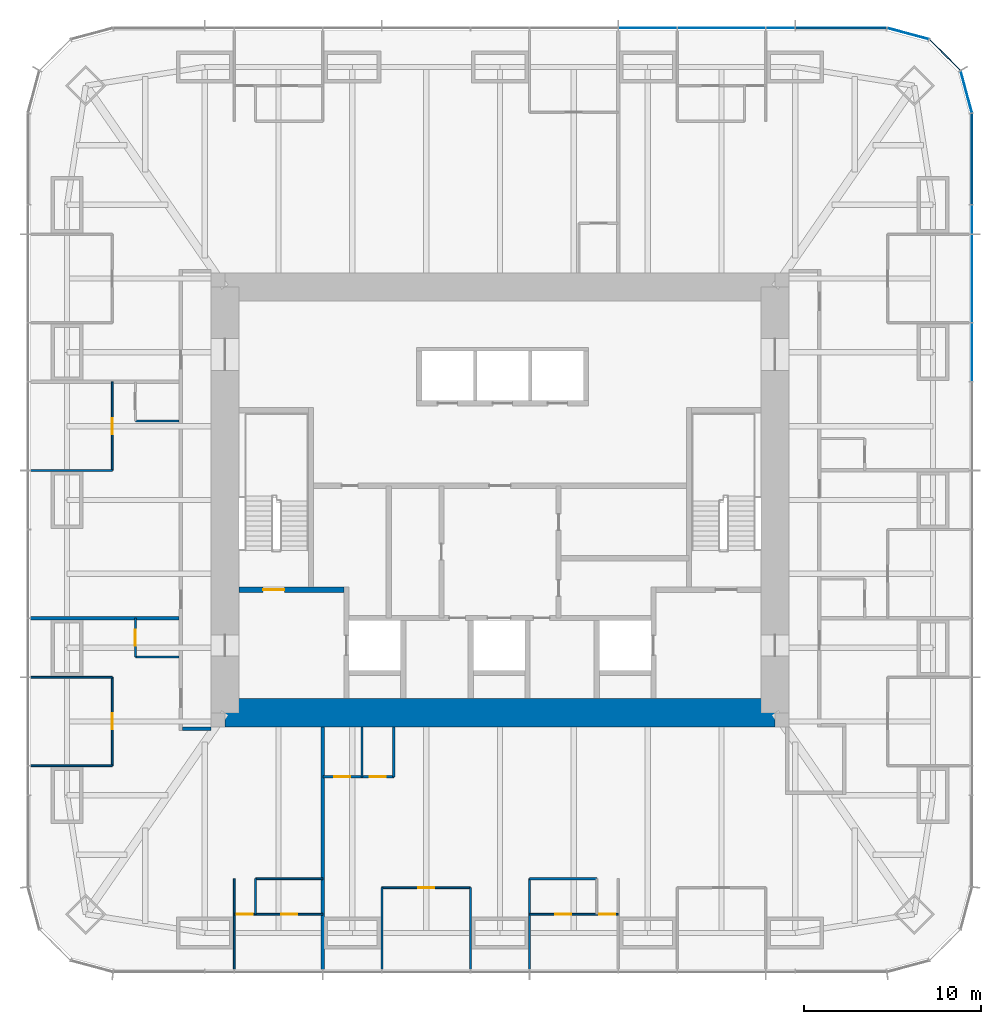
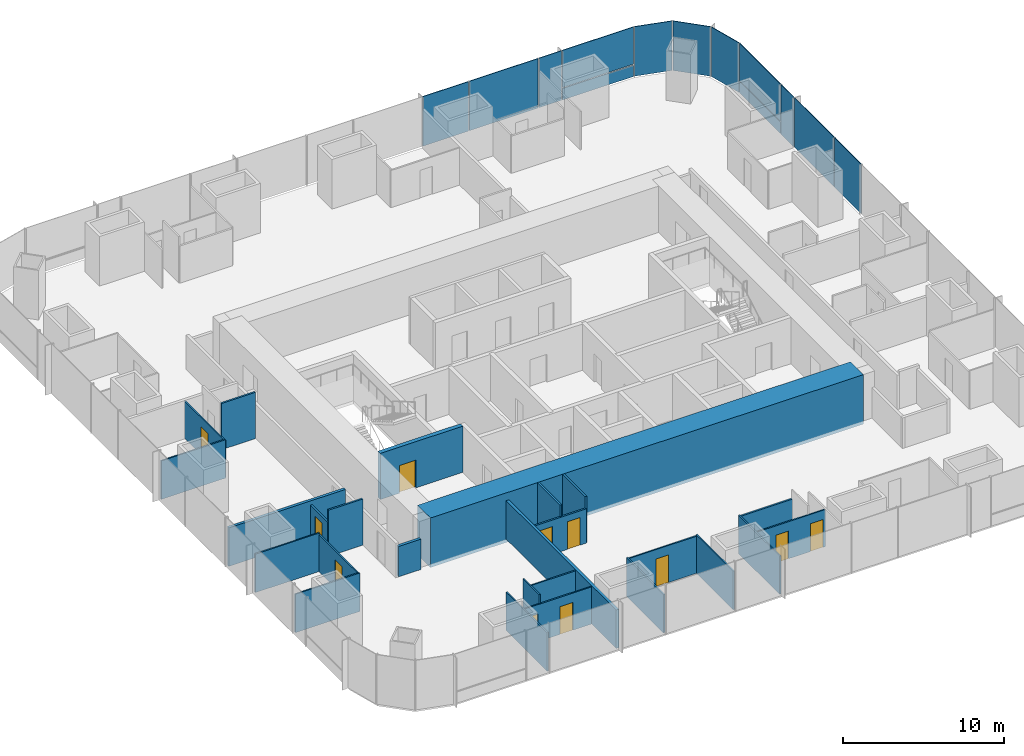
# One storey, part 8 of 12: 26 walls, 13 plates, 11 doors, 11 openings, 3 elements without a shape of their own.
"""IFC4 building model written with IfcOpenShell, lengths in metres."""

from ifc_helpers import new_model, si_unit, direction, frame, frame_2d, origin, origin_2d, place, context, subcontext, project, spatial, rectangle, extrude, material, layer, layer_set, type_object, element, fill, aggregate, save


model = new_model("IFC4")

# Units and contexts
model_context = context("Model", 3, precision=1e-05, world=origin(), true_north=direction((0.0, 1.0)))
body_context = subcontext(model_context, "Body", "Model", "MODEL_VIEW")
ifc_project = project(units=[si_unit("LENGTHUNIT", "METRE"), si_unit("AREAUNIT", "SQUARE_METRE"), si_unit("VOLUMEUNIT", "CUBIC_METRE"), si_unit("PLANEANGLEUNIT", "RADIAN"), si_unit("MASSUNIT", "GRAM", prefix="KILO")], contexts=[model_context])

# Site, building, storey
site_placement = place(None, origin())
site = spatial("IfcSite", under=ifc_project, at=site_placement, CompositionType="ELEMENT")
building_placement = place(site_placement, origin())
building = spatial("IfcBuilding", under=site, at=building_placement, Name="Khuree Lantern Residences", CompositionType="ELEMENT")
storey_placement = place(building_placement, frame((0.0, 0.0, 207.0)))
storey = spatial("IfcBuildingStorey", under=building, at=storey_placement, Name="L51", CompositionType="ELEMENT", Elevation=207.0)

# Curtain wall, plates
ifc_material_1 = material(Name="Bronze anodised aluminium", Category="aluminium")
curtain_wall_type_1 = type_object("IfcCurtainWallType", Name="CW-T2 TOWER CORNER CURTAIN WALL", PredefinedType="USERDEFINED", material=ifc_material_1)
curtain_wall_1_placement = place(storey_placement, origin())
curtain_wall_1 = element("IfcCurtainWall", 1, at=curtain_wall_1_placement, inside=storey, type_object=curtain_wall_type_1, Name="L51 NORTH-EAST CORNER CURTAIN WALL", ObjectType="Faceted corner curtain wall", PredefinedType="USERDEFINED")
ifc_material_2 = material(Name="Bronze tinted triple glazing", Category="glass")
ifc_layer_1 = layer(ifc_material_2, 0.048095703125)
ifc_layer_set_1 = layer_set([ifc_layer_1], Name="FACET PANEL P4")
plate_type_1 = type_object("IfcPlateType", Name="FACET PANEL P4", PredefinedType="CURTAIN_PANEL", material=ifc_layer_set_1)
plate_1_placement = place(storey_placement, frame((26.279052734375, 22.998046875, 0.0), z_axis=(0.0, 0.0, 1.0), x_axis=(-0.258819021888, 0.965925832509, 0.0)))
plate_1 = element("IfcPlate", 2, at=plate_1_placement, type_object=plate_type_1, Name="L51 NORTH-EAST CORNER PANEL 15.1", PredefinedType="CURTAIN_PANEL", context=body_context, shape_type="SweptSolid", body=[
    extrude(rectangle(XDim=2.40869140625, YDim=0.048095703125, at=origin_2d()), origin(), (0.0, 0.0, 1.0), 3.75),
])
plate_2_placement = place(storey_placement, frame((25.078369140625, 25.078369140625, 0.0), z_axis=(0.0, 0.0, 1.0), x_axis=(-0.707106781187, 0.707106781187, 0.0)))
plate_2 = element("IfcPlate", 3, at=plate_2_placement, type_object=plate_type_1, Name="L51 NORTH-EAST CORNER PANEL 16.1", PredefinedType="CURTAIN_PANEL", context=body_context, shape_type="SweptSolid", body=[
    extrude(rectangle(XDim=2.404541015625, YDim=0.048095703125, at=origin_2d()), origin(), (0.0, 0.0, 1.0), 3.75),
])
plate_3_placement = place(storey_placement, frame((22.998046875, 26.279052734375, 0.0), z_axis=(0.0, 0.0, 1.0), x_axis=(-0.965925832509, 0.258819021888, 0.0)))
plate_3 = element("IfcPlate", 4, at=plate_3_placement, type_object=plate_type_1, Name="L51 NORTH-EAST CORNER PANEL 17.1", PredefinedType="CURTAIN_PANEL", context=body_context, shape_type="SweptSolid", body=[
    extrude(rectangle(XDim=2.40869140625, YDim=0.048095703125, at=origin_2d()), origin(), (0.0, 0.0, 1.0), 3.75),
])
aggregate(curtain_wall_1, [plate_1, plate_2, plate_3])

# Curtain wall, plate
curtain_wall_type_2 = type_object("IfcCurtainWallType", Name="CW-T1 TOWER FACE CURTAIN WALL", PredefinedType="USERDEFINED", material=ifc_material_1)
curtain_wall_2_placement = place(storey_placement, origin())
curtain_wall_2 = element("IfcCurtainWall", 5, at=curtain_wall_2_placement, inside=storey, type_object=curtain_wall_type_2, Name="L51 EAST FACE CURTAIN WALL", ObjectType="Stick-built curtain wall", PredefinedType="USERDEFINED")
ifc_material_3 = material(Name="Bronze tinted triple glazing with a ceramic-fritted spandrel band", Category="glass")
ifc_layer_2 = layer(ifc_material_3, 0.048095703125)
ifc_layer_set_2 = layer_set([ifc_layer_2], Name="FIXED LIGHT PANEL P11")
plate_type_2 = type_object("IfcPlateType", Name="FIXED LIGHT PANEL P11", PredefinedType="CURTAIN_PANEL", material=ifc_layer_set_2)
plate_4_placement = place(storey_placement, frame((26.60009765625, 12.47998046875, 0.0), z_axis=(0.0, 0.0, 1.0), x_axis=(0.0, 1.0, 0.0)))
plate_4 = element("IfcPlate", 6, at=plate_4_placement, type_object=plate_type_2, Name="L51 EAST FACE PANEL 12.1", PredefinedType="CURTAIN_PANEL", context=body_context, shape_type="SweptSolid", body=[
    extrude(rectangle(XDim=4.927001953125, YDim=0.048095703125, at=origin_2d()), origin(), (0.0, 0.0, 1.0), 3.75),
])

curtain_wall_3_placement = place(storey_placement, origin())
curtain_wall_3 = element("IfcCurtainWall", 7, at=curtain_wall_3_placement, inside=storey, type_object=curtain_wall_type_2, Name="L51 NORTH FACE CURTAIN WALL", ObjectType="Stick-built curtain wall", PredefinedType="USERDEFINED")
plate_5_placement = place(storey_placement, frame((12.47998046875, 26.60009765625, 0.0), z_axis=(0.0, 0.0, 1.0), x_axis=(-1.0, 0.0, 0.0)))
plate_5 = element("IfcPlate", 8, at=plate_5_placement, type_object=plate_type_2, Name="L51 NORTH FACE PANEL 20.1", PredefinedType="CURTAIN_PANEL", context=body_context, shape_type="SweptSolid", body=[
    extrude(rectangle(XDim=4.927001953125, YDim=0.048095703125, at=origin_2d()), origin(), (0.0, 0.0, 1.0), 3.75),
])

# Plate
ifc_material_4 = material(Name="Bronze tinted triple glazing, two aluminium-framed sashes in one frame", Category="aluminium")
ifc_layer_3 = layer(ifc_material_4, 0.048095703125)
ifc_layer_set_3 = layer_set([ifc_layer_3], Name="SASH PAIR PANEL P12")
plate_type_3 = type_object("IfcPlateType", Name="SASH PAIR PANEL P12", PredefinedType="CURTAIN_PANEL", material=ifc_layer_set_3)
plate_6_placement = place(storey_placement, frame((26.60009765625, 8.320068359375, 0.0), z_axis=(0.0, 0.0, 1.0), x_axis=(0.0, 1.0, 0.0)))
plate_6 = element("IfcPlate", 9, at=plate_6_placement, type_object=plate_type_3, Name="L51 EAST FACE PANEL 11.1", PredefinedType="CURTAIN_PANEL", context=body_context, shape_type="SweptSolid", body=[
    extrude(rectangle(XDim=3.262939453125, YDim=0.048095703125, at=origin_2d()), origin(), (0.0, 0.0, 1.0), 3.75),
])

plate_7_placement = place(storey_placement, frame((8.320068359375, 26.60009765625, 0.0), z_axis=(0.0, 0.0, 1.0), x_axis=(-1.0, 0.0, 0.0)))
plate_7 = element("IfcPlate", 10, at=plate_7_placement, type_object=plate_type_3, Name="L51 NORTH FACE PANEL 21.1", PredefinedType="CURTAIN_PANEL", context=body_context, shape_type="SweptSolid", body=[
    extrude(rectangle(XDim=3.262939453125, YDim=0.048095703125, at=origin_2d()), origin(), (0.0, 0.0, 1.0), 3.75),
])

ifc_material_5 = material(Name="Bronze tinted triple glazing, aluminium-framed sash", Category="aluminium")
ifc_layer_4 = layer(ifc_material_5, 0.048095703125)
ifc_layer_set_4 = layer_set([ifc_layer_4], Name="SASH PANEL P3")
plate_type_4 = type_object("IfcPlateType", Name="SASH PANEL P3", PredefinedType="CURTAIN_PANEL", material=ifc_layer_set_4)
plate_8_placement = place(storey_placement, frame((26.60009765625, 15.80810546875, 0.0), z_axis=(0.0, 0.0, 1.0), x_axis=(0.0, 1.0, 0.0)))
plate_8 = element("IfcPlate", 11, at=plate_8_placement, type_object=plate_type_4, Name="L51 EAST FACE PANEL 13.1", PredefinedType="CURTAIN_PANEL", context=body_context, shape_type="SweptSolid", body=[
    extrude(rectangle(XDim=1.59912109375, YDim=0.048095703125, at=origin_2d()), origin(), (0.0, 0.0, 1.0), 3.75),
])

plate_9_placement = place(storey_placement, frame((15.80810546875, 26.60009765625, 0.0), z_axis=(0.0, 0.0, 1.0), x_axis=(-1.0, 0.0, 0.0)))
plate_9 = element("IfcPlate", 12, at=plate_9_placement, type_object=plate_type_4, Name="L51 NORTH FACE PANEL 19.1", PredefinedType="CURTAIN_PANEL", context=body_context, shape_type="SweptSolid", body=[
    extrude(rectangle(XDim=1.59912109375, YDim=0.048095703125, at=origin_2d()), origin(), (0.0, 0.0, 1.0), 3.75),
])

ifc_material_6 = material(Name="Bronze anodised aluminium insulated spandrel", Category="aluminium")
ifc_layer_5 = layer(ifc_material_6, 0.06005859375)
ifc_layer_set_5 = layer_set([ifc_layer_5], Name="SPANDREL PANEL P2")
plate_type_5 = type_object("IfcPlateType", Name="SPANDREL PANEL P2", PredefinedType="CURTAIN_PANEL", material=ifc_layer_set_5)
plate_10_placement = place(storey_placement, frame((26.60009765625, 19.2177734375, 0.0), z_axis=(0.0, 0.0, 1.0), x_axis=(0.0, 1.0, 0.0)))
plate_10 = element("IfcPlate", 13, at=plate_10_placement, type_object=plate_type_5, Name="L51 EAST FACE PANEL 14.1", PredefinedType="CURTAIN_PANEL", context=body_context, shape_type="SweptSolid", body=[
    extrude(rectangle(XDim=5.0908203125, YDim=0.06005859375, at=origin_2d()), origin(), (0.0, 0.0, 1.0), 0.867431640625),
])

plate_11_placement = place(storey_placement, frame((19.2177734375, 26.60009765625, 0.0), z_axis=(0.0, 0.0, 1.0), x_axis=(-1.0, 0.0, 0.0)))
plate_11 = element("IfcPlate", 14, at=plate_11_placement, type_object=plate_type_5, Name="L51 NORTH FACE PANEL 18.1", PredefinedType="CURTAIN_PANEL", context=body_context, shape_type="SweptSolid", body=[
    extrude(rectangle(XDim=5.0908203125, YDim=0.06005859375, at=origin_2d()), origin(), (0.0, 0.0, 1.0), 0.867431640625),
])

ifc_layer_6 = layer(ifc_material_2, 0.048095703125)
ifc_layer_set_6 = layer_set([ifc_layer_6], Name="VISION PANEL P1")
plate_type_6 = type_object("IfcPlateType", Name="VISION PANEL P1", PredefinedType="CURTAIN_PANEL", material=ifc_layer_set_6)
plate_12_placement = place(storey_placement, frame((26.60009765625, 19.21826171875, 0.9326171875), z_axis=(0.0, 0.0, 1.0), x_axis=(0.0, 1.0, 0.0)))
plate_12 = element("IfcPlate", 15, at=plate_12_placement, type_object=plate_type_6, Name="L51 EAST FACE PANEL 14.2", PredefinedType="CURTAIN_PANEL", context=body_context, shape_type="SweptSolid", body=[
    extrude(rectangle(XDim=5.091552734375, YDim=0.048095703125, at=origin_2d()), origin(), (0.0, 0.0, 1.0), 2.8173828125),
])

aggregate(curtain_wall_2, [plate_6, plate_4, plate_8, plate_10, plate_12])

plate_13_placement = place(storey_placement, frame((19.21826171875, 26.60009765625, 0.9326171875), z_axis=(0.0, 0.0, 1.0), x_axis=(-1.0, 0.0, 0.0)))
plate_13 = element("IfcPlate", 16, at=plate_13_placement, type_object=plate_type_6, Name="L51 NORTH FACE PANEL 18.2", PredefinedType="CURTAIN_PANEL", context=body_context, shape_type="SweptSolid", body=[
    extrude(rectangle(XDim=5.091552734375, YDim=0.048095703125, at=origin_2d()), origin(), (0.0, 0.0, 1.0), 2.8173828125),
])

aggregate(curtain_wall_3, [plate_11, plate_13, plate_9, plate_5, plate_7])

# Wall
ifc_material_7 = material(Name="Moisture-resistant gypsum board on steel studs", Category="steel")
ifc_layer_7 = layer(ifc_material_7, 0.125)
ifc_layer_set_7 = layer_set([ifc_layer_7], Name="BATHROOM WALL BTW125")
wall_type_1 = type_object("IfcWallType", Name="BATHROOM WALL BTW125", PredefinedType="PARTITIONING", material=ifc_layer_set_7)
wall_1_placement = place(storey_placement, frame((-18.10009765625, 4.4560546875, 0.0), z_axis=(0.0, 0.0, 1.0), x_axis=(-1.0, 0.0, 0.0)))
element("IfcWall", 17, at=wall_1_placement, inside=storey, type_object=wall_type_1, Name="L51 BATHROOM WALL 04", PredefinedType="PARTITIONING", context=body_context, shape_type="SweptSolid", body=[
    extrude(rectangle(XDim=2.449951171875, YDim=0.125, at=frame_2d((1.22509765625, 0.0))), origin(), (0.0, 0.0, 1.0), 3.5),
])

# Wall, opening, door
wall_2_placement = place(storey_placement, frame((-20.550048828125, -6.656005859375, 0.0), z_axis=(0.0, 0.0, 1.0), x_axis=(0.0, -1.0, 0.0)))
wall_2 = element("IfcWall", 18, at=wall_2_placement, inside=storey, type_object=wall_type_1, Name="L51 BATHROOM WALL 05", PredefinedType="PARTITIONING", context=body_context, shape_type="SweptSolid", body=[
    extrude(rectangle(XDim=2.199951171875, YDim=0.125, at=frame_2d((1.10009765625, 0.0))), origin(), (0.0, 0.0, 1.0), 2.60009765625),
])
opening_1_placement = place(wall_2_placement, frame((0.64990234375, 0.0, 0.0)))
opening_1 = element("IfcOpeningElement", 19, at=opening_1_placement, cuts=wall_2, Name="Opening 51-040", PredefinedType="OPENING", context=body_context, shape_type="SweptSolid", body=[
    extrude(rectangle(XDim=0.89990234375, YDim=2.10009765625, at=frame_2d((0.449951171875, 1.050048828125))), frame((0.0, 0.072509765625, 0.0), z_axis=(0.0, -1.0, 0.0), x_axis=(1.0, 0.0, 0.0)), (0.0, 0.0, 1.0), 0.14501953125),
])
ifc_material_8 = material(Name="Timber door leaf in hardwood frame", Category="wood")
door_type_1 = type_object("IfcDoorType", Name="BATHROOM DOOR 900X2100", OperationType="SINGLE_SWING_LEFT", PredefinedType="DOOR", material=ifc_material_8)
door_1_placement = place(opening_1_placement, origin())
door_1 = element("IfcDoor", 20, at=door_1_placement, inside=storey, type_object=door_type_1, Name="Bathroom door 51-040", OperationType="SINGLE_SWING_LEFT", OverallHeight=2.10009765625, OverallWidth=0.89990234375, PredefinedType="DOOR", context=body_context, shape_type="SweptSolid", body=[
    extrude(rectangle(XDim=0.89990234375, YDim=2.10009765625, at=frame_2d((0.449951171875, 1.050048828125))), frame((0.0, 0.02490234375, 0.0), z_axis=(0.0, -1.0, 0.0), x_axis=(1.0, 0.0, 0.0)), (0.0, 0.0, 1.0), 0.050048828125),
])
fill(opening_1, door_1)

# Walls
wall_3_placement = place(storey_placement, frame((-18.10009765625, -8.85595703125, 0.0), z_axis=(0.0, 0.0, 1.0), x_axis=(-1.0, 0.0, 0.0)))
element("IfcWall", 21, at=wall_3_placement, inside=storey, type_object=wall_type_1, Name="L51 BATHROOM WALL 05", PredefinedType="PARTITIONING", context=body_context, shape_type="SweptSolid", body=[
    extrude(rectangle(XDim=2.449951171875, YDim=0.125, at=frame_2d((1.22509765625, 0.0))), origin(), (0.0, 0.0, 1.0), 3.5),
])
wall_4_placement = place(storey_placement, frame((1.6640625, -21.344970703125, 0.0), z_axis=(0.0, 0.0, 1.0), x_axis=(1.0, 0.0, 0.0)))
element("IfcWall", 22, at=wall_4_placement, inside=storey, type_object=wall_type_1, Name="L51 BATHROOM WALL 06", PredefinedType="PARTITIONING", context=body_context, shape_type="SweptSolid", body=[
    extrude(rectangle(XDim=3.7919921875, YDim=0.125, at=frame_2d((1.89599609375, 0.0))), origin(), (0.0, 0.0, 1.0), 2.81005859375),
])

# Wall, openings, doors
wall_5_placement = place(storey_placement, frame((-9.98388671875, -15.60009765625, 0.0), z_axis=(0.0, 0.0, 1.0), x_axis=(1.0, 0.0, 0.0)))
wall_5 = element("IfcWall", 23, at=wall_5_placement, inside=storey, type_object=wall_type_1, Name="L51 BATHROOM WALL 06", PredefinedType="PARTITIONING", context=body_context, shape_type="SweptSolid", body=[
    extrude(rectangle(XDim=4.0, YDim=0.125, at=frame_2d((2.0, 0.0))), origin(), (0.0, 0.0, 1.0), 2.60009765625),
])
opening_2_placement = place(wall_5_placement, frame((0.64990234375, 0.0, 0.0)))
opening_2 = element("IfcOpeningElement", 24, at=opening_2_placement, cuts=wall_5, Name="Opening 51-047", PredefinedType="OPENING", context=body_context, shape_type="SweptSolid", body=[
    extrude(rectangle(XDim=0.89990234375, YDim=2.10009765625, at=frame_2d((0.449951171875, 1.050048828125))), frame((0.0, 0.072509765625, 0.0), z_axis=(0.0, -1.0, 0.0), x_axis=(1.0, 0.0, 0.0)), (0.0, 0.0, 1.0), 0.14501953125),
])
opening_3_placement = place(wall_5_placement, frame((2.64990234375, 0.0, 0.0)))
opening_3 = element("IfcOpeningElement", 25, at=opening_3_placement, cuts=wall_5, Name="Opening 51-048", PredefinedType="OPENING", context=body_context, shape_type="SweptSolid", body=[
    extrude(rectangle(XDim=0.89990234375, YDim=2.10009765625, at=frame_2d((0.449951171875, 1.050048828125))), frame((0.0, 0.072509765625, 0.0), z_axis=(0.0, -1.0, 0.0), x_axis=(1.0, 0.0, 0.0)), (0.0, 0.0, 1.0), 0.14501953125),
])
door_2_placement = place(opening_2_placement, origin())
door_2 = element("IfcDoor", 26, at=door_2_placement, inside=storey, type_object=door_type_1, Name="Bathroom door 51-047", OperationType="SINGLE_SWING_LEFT", OverallHeight=2.10009765625, OverallWidth=0.89990234375, PredefinedType="DOOR", context=body_context, shape_type="SweptSolid", body=[
    extrude(rectangle(XDim=0.89990234375, YDim=2.10009765625, at=frame_2d((0.449951171875, 1.050048828125))), frame((0.0, 0.02490234375, 0.0), z_axis=(0.0, -1.0, 0.0), x_axis=(1.0, 0.0, 0.0)), (0.0, 0.0, 1.0), 0.050048828125),
])
fill(opening_2, door_2)
door_type_2 = type_object("IfcDoorType", Name="DOOR 900X2100", OperationType="SINGLE_SWING_LEFT", PredefinedType="DOOR", material=ifc_material_8)
door_3_placement = place(opening_3_placement, origin())
door_3 = element("IfcDoor", 27, at=door_3_placement, inside=storey, type_object=door_type_2, Name="Store door 51-048", OperationType="SINGLE_SWING_LEFT", OverallHeight=2.10009765625, OverallWidth=0.89990234375, PredefinedType="DOOR", context=body_context, shape_type="SweptSolid", body=[
    extrude(rectangle(XDim=0.89990234375, YDim=2.10009765625, at=frame_2d((0.449951171875, 1.050048828125))), frame((0.0, 0.02490234375, 0.0), z_axis=(0.0, -1.0, 0.0), x_axis=(1.0, 0.0, 0.0)), (0.0, 0.0, 1.0), 0.050048828125),
])
fill(opening_3, door_3)

# Walls
for number, where, z_axis, x_axis, name in (
    (28, (-7.783935546875, -12.800048828125, 0.0), (0.0, 0.0, 1.0), (0.0, -1.0, 0.0), "L51 BATHROOM WALL 06"),
    (29, (-5.98388671875, -12.800048828125, 0.0), (0.0, 0.0, 1.0), (0.0, -1.0, 0.0), "L51 BATHROOM WALL 06"),
):
    element("IfcWall", number, at=place(storey_placement, frame(where, z_axis=z_axis, x_axis=x_axis)), inside=storey, type_object=wall_type_1, Name=name, PredefinedType="PARTITIONING", context=body_context, shape_type="SweptSolid", body=[
        extrude(rectangle(XDim=2.800048828125, YDim=0.125, at=frame_2d((1.39990234375, 0.0))), origin(), (0.0, 0.0, 1.0), 3.5),
    ])
ifc_material_9 = material(Name="Gypsum board on steel studs", Category="steel")
ifc_layer_8 = layer(ifc_material_9, 0.199951171875)
ifc_layer_set_8 = layer_set([ifc_layer_8], Name="CORRIDOR WALL CRW200 EI 60")
wall_type_2 = type_object("IfcWallType", Name="CORRIDOR WALL CRW200 EI 60", PredefinedType="PARTITIONING", material=ifc_layer_set_8)
wall_6_placement = place(storey_placement, frame((-16.300048828125, -12.89990234375, 0.0), z_axis=(0.0, 0.0, 1.0), x_axis=(-1.0, 0.0, 0.0)))
element("IfcWall", 30, at=wall_6_placement, inside=storey, type_object=wall_type_2, Name="L51 WEST CORRIDOR SOUTH END WALL", PredefinedType="PARTITIONING", context=body_context, shape_type="SweptSolid", body=[
    extrude(rectangle(XDim=1.599853515625, YDim=0.199951171875, at=frame_2d((0.7998046875, 0.0))), origin(), (0.0, 0.0, 1.0), 2.300048828125),
])
ifc_material_10 = material(Name="Concrete C50/60", Category="concrete")
ifc_layer_9 = layer(ifc_material_10, 1.60009765625)
ifc_layer_set_9 = layer_set([ifc_layer_9], Name="CW1600-C50 CORE WALL C50 1600")
wall_type_3 = type_object("IfcWallType", Name="CW1600-C50 CORE WALL C50 1600", PredefinedType="SHEAR", material=ifc_layer_set_9)
wall_7_placement = place(storey_placement, frame((-15.5, -12.0, -0.25), z_axis=(0.0, 0.0, 1.0), x_axis=(1.0, 0.0, 0.0)))
element("IfcWall", 31, at=wall_7_placement, inside=storey, type_object=wall_type_3, Name="Core wall S", PredefinedType="SHEAR", context=body_context, shape_type="SweptSolid", body=[
    extrude(rectangle(XDim=31.0, YDim=1.60009765625, at=frame_2d((15.5, 0.0))), origin(), (0.0, 0.0, 1.0), 3.75),
])
ifc_layer_10 = layer(ifc_material_9, 0.199951171875)
ifc_layer_set_10 = layer_set([ifc_layer_10], Name="DEMISING WALL DMW200 EI 90")
wall_type_4 = type_object("IfcWallType", Name="DEMISING WALL DMW200 EI 90", PredefinedType="PARTITIONING", material=ifc_layer_set_10)
wall_8_placement = place(storey_placement, frame((-18.10009765625, -6.656005859375, 0.0), z_axis=(0.0, 0.0, 1.0), x_axis=(-1.0, 0.0, 0.0)))
element("IfcWall", 32, at=wall_8_placement, inside=storey, type_object=wall_type_4, Name="L51 DEMISING WALL 05", PredefinedType="PARTITIONING", context=body_context, shape_type="SweptSolid", body=[
    extrude(rectangle(XDim=8.349853515625, YDim=0.199951171875, at=frame_2d((4.1748046875, 0.0))), origin(), (0.0, 0.0, 1.0), 2.909912109375),
])
wall_9_placement = place(storey_placement, frame((-9.98388671875, -12.800048828125, 0.0), z_axis=(0.0, 0.0, 1.0), x_axis=(0.0, -1.0, 0.0)))
element("IfcWall", 33, at=wall_9_placement, inside=storey, type_object=wall_type_4, Name="L51 DEMISING WALL 06", PredefinedType="PARTITIONING", context=body_context, shape_type="SweptSolid", body=[
    extrude(rectangle(XDim=13.64990234375, YDim=0.199951171875, at=frame_2d((6.824951171875, 0.0))), origin(), (0.0, 0.0, 1.0), 2.909912109375),
])
ifc_layer_11 = layer(ifc_material_9, 0.10009765625)
ifc_layer_set_11 = layer_set([ifc_layer_11], Name="PARTITION PT100")
wall_type_5 = type_object("IfcWallType", Name="PARTITION PT100", PredefinedType="PARTITIONING", material=ifc_layer_set_11)
for number, where, z_axis, x_axis, name in (
    (34, (-21.85009765625, 1.6640625, 0.0), (0.0, 0.0, 1.0), (-1.0, 0.0, 0.0), "L51 PARTITION 04"),
    (35, (-21.85009765625, -9.98388671875, 0.0), (0.0, 0.0, 1.0), (-1.0, 0.0, 0.0), "L51 PARTITION 05"),
    (36, (-21.85009765625, -14.97607421875, 0.0), (0.0, 0.0, 1.0), (-1.0, 0.0, 0.0), "L51 PARTITION 05"),
):
    element("IfcWall", number, at=place(storey_placement, frame(where, z_axis=z_axis, x_axis=x_axis)), inside=storey, type_object=wall_type_5, Name=name, PredefinedType="PARTITIONING", context=body_context, shape_type="SweptSolid", body=[
        extrude(rectangle(XDim=4.599853515625, YDim=0.10009765625, at=frame_2d((2.2998046875, 0.0))), origin(), (0.0, 0.0, 1.0), 2.909912109375),
    ])
wall_10_placement = place(storey_placement, frame((-14.97607421875, -21.344970703125, 0.0), z_axis=(0.0, 0.0, 1.0), x_axis=(0.0, -1.0, 0.0)))
element("IfcWall", 37, at=wall_10_placement, inside=storey, type_object=wall_type_5, Name="L51 PARTITION 05", PredefinedType="PARTITIONING", context=body_context, shape_type="SweptSolid", body=[
    extrude(rectangle(XDim=5.10498046875, YDim=0.10009765625, at=frame_2d((2.552490234375, 0.0))), origin(), (0.0, 0.0, 1.0), 2.909912109375),
])
for number, where, z_axis, x_axis, name in (
    (38, (-6.656005859375, -21.85009765625, 0.0), (0.0, 0.0, 1.0), (0.0, -1.0, 0.0), "L51 PARTITION 06"),
    (39, (-1.6640625, -21.85009765625, 0.0), (0.0, 0.0, 1.0), (0.0, -1.0, 0.0), "L51 PARTITION 06"),
):
    element("IfcWall", number, at=place(storey_placement, frame(where, z_axis=z_axis, x_axis=x_axis)), inside=storey, type_object=wall_type_5, Name=name, PredefinedType="PARTITIONING", context=body_context, shape_type="SweptSolid", body=[
        extrude(rectangle(XDim=4.599853515625, YDim=0.10009765625, at=frame_2d((2.2998046875, 0.0))), origin(), (0.0, 0.0, 1.0), 2.909912109375),
    ])
wall_11_placement = place(storey_placement, frame((1.6640625, -21.344970703125, 0.0), z_axis=(0.0, 0.0, 1.0), x_axis=(0.0, -1.0, 0.0)))
element("IfcWall", 40, at=wall_11_placement, inside=storey, type_object=wall_type_5, Name="L51 PARTITION 06", PredefinedType="PARTITIONING", context=body_context, shape_type="SweptSolid", body=[
    extrude(rectangle(XDim=5.10498046875, YDim=0.10009765625, at=frame_2d((2.552490234375, 0.0))), origin(), (0.0, 0.0, 1.0), 2.909912109375),
])

# Wall, opening, door
wall_12_placement = place(storey_placement, frame((-21.85009765625, 6.656005859375, 0.0), z_axis=(0.0, 0.0, 1.0), x_axis=(0.0, -1.0, 0.0)))
wall_12 = element("IfcWall", 41, at=wall_12_placement, inside=storey, type_object=wall_type_5, Name="L51 PARTITION 04", PredefinedType="PARTITIONING", context=body_context, shape_type="SweptSolid", body=[
    extrude(rectangle(XDim=4.991943359375, YDim=0.10009765625, at=frame_2d((2.49609375, 0.0))), origin(), (0.0, 0.0, 1.0), 2.81005859375),
])
opening_4_placement = place(wall_12_placement, frame((2.0458984375, 0.0, 0.0)))
opening_4 = element("IfcOpeningElement", 42, at=opening_4_placement, cuts=wall_12, Name="Opening 51-034", PredefinedType="OPENING", context=body_context, shape_type="SweptSolid", body=[
    extrude(rectangle(XDim=0.89990234375, YDim=2.10009765625, at=frame_2d((0.449951171875, 1.050048828125))), frame((0.0, 0.06005859375, 0.0), z_axis=(0.0, -1.0, 0.0), x_axis=(1.0, 0.0, 0.0)), (0.0, 0.0, 1.0), 0.1201171875),
])
door_type_3 = type_object("IfcDoorType", Name="BEDROOM DOOR 900X2100", OperationType="SINGLE_SWING_LEFT", PredefinedType="DOOR", material=ifc_material_8)
door_4_placement = place(opening_4_placement, origin())
door_4 = element("IfcDoor", 43, at=door_4_placement, inside=storey, type_object=door_type_3, Name="Bedroom door 51-034", OperationType="SINGLE_SWING_LEFT", OverallHeight=2.10009765625, OverallWidth=0.89990234375, PredefinedType="DOOR", context=body_context, shape_type="SweptSolid", body=[
    extrude(rectangle(XDim=0.89990234375, YDim=2.10009765625, at=frame_2d((0.449951171875, 1.050048828125))), frame((0.0, 0.02490234375, 0.0), z_axis=(0.0, -1.0, 0.0), x_axis=(1.0, 0.0, 0.0)), (0.0, 0.0, 1.0), 0.050048828125),
])
fill(opening_4, door_4)

wall_13_placement = place(storey_placement, frame((-21.85009765625, -9.98388671875, 0.0), z_axis=(0.0, 0.0, 1.0), x_axis=(0.0, -1.0, 0.0)))
wall_13 = element("IfcWall", 44, at=wall_13_placement, inside=storey, type_object=wall_type_5, Name="L51 PARTITION 05", PredefinedType="PARTITIONING", context=body_context, shape_type="SweptSolid", body=[
    extrude(rectangle(XDim=4.9921875, YDim=0.10009765625, at=frame_2d((2.49609375, 0.0))), origin(), (0.0, 0.0, 1.0), 2.81005859375),
])
opening_5_placement = place(wall_13_placement, frame((2.0458984375, 0.0, 0.0)))
opening_5 = element("IfcOpeningElement", 45, at=opening_5_placement, cuts=wall_13, Name="Opening 51-037", PredefinedType="OPENING", context=body_context, shape_type="SweptSolid", body=[
    extrude(rectangle(XDim=0.89990234375, YDim=2.10009765625, at=frame_2d((0.449951171875, 1.050048828125))), frame((0.0, 0.06005859375, 0.0), z_axis=(0.0, -1.0, 0.0), x_axis=(1.0, 0.0, 0.0)), (0.0, 0.0, 1.0), 0.1201171875),
])
door_5_placement = place(opening_5_placement, origin())
door_5 = element("IfcDoor", 46, at=door_5_placement, inside=storey, type_object=door_type_3, Name="Bedroom door 51-037", OperationType="SINGLE_SWING_LEFT", OverallHeight=2.10009765625, OverallWidth=0.89990234375, PredefinedType="DOOR", context=body_context, shape_type="SweptSolid", body=[
    extrude(rectangle(XDim=0.89990234375, YDim=2.10009765625, at=frame_2d((0.449951171875, 1.050048828125))), frame((0.0, 0.02490234375, 0.0), z_axis=(0.0, -1.0, 0.0), x_axis=(1.0, 0.0, 0.0)), (0.0, 0.0, 1.0), 0.050048828125),
])
fill(opening_5, door_5)

# Wall, openings, doors
wall_14_placement = place(storey_placement, frame((-14.97607421875, -23.344970703125, 0.0), z_axis=(0.0, 0.0, 1.0), x_axis=(1.0, 0.0, 0.0)))
wall_14 = element("IfcWall", 47, at=wall_14_placement, inside=storey, type_object=wall_type_5, Name="L51 PARTITION 05", PredefinedType="PARTITIONING", context=body_context, shape_type="SweptSolid", body=[
    extrude(rectangle(XDim=4.9921875, YDim=0.10009765625, at=frame_2d((2.49609375, 0.0))), origin(), (0.0, 0.0, 1.0), 2.81005859375),
])
opening_6_placement = place(wall_14_placement, frame((0.14990234375, 0.0, 0.0)))
opening_6 = element("IfcOpeningElement", 48, at=opening_6_placement, cuts=wall_14, Name="Opening 51-038", PredefinedType="OPENING", context=body_context, shape_type="SweptSolid", body=[
    extrude(rectangle(XDim=0.89990234375, YDim=2.10009765625, at=frame_2d((0.449951171875, 1.050048828125))), frame((0.0, 0.06005859375, 0.0), z_axis=(0.0, -1.0, 0.0), x_axis=(1.0, 0.0, 0.0)), (0.0, 0.0, 1.0), 0.1201171875),
])
opening_7_placement = place(wall_14_placement, frame((2.64599609375, 0.0, 0.0)))
opening_7 = element("IfcOpeningElement", 49, at=opening_7_placement, cuts=wall_14, Name="Opening 51-039", PredefinedType="OPENING", context=body_context, shape_type="SweptSolid", body=[
    extrude(rectangle(XDim=0.89990234375, YDim=2.10009765625, at=frame_2d((0.449951171875, 1.050048828125))), frame((0.0, 0.06005859375, 0.0), z_axis=(0.0, -1.0, 0.0), x_axis=(1.0, 0.0, 0.0)), (0.0, 0.0, 1.0), 0.1201171875),
])
door_6_placement = place(opening_6_placement, origin())
door_6 = element("IfcDoor", 50, at=door_6_placement, inside=storey, type_object=door_type_3, Name="Bedroom door 51-038", OperationType="SINGLE_SWING_LEFT", OverallHeight=2.10009765625, OverallWidth=0.89990234375, PredefinedType="DOOR", context=body_context, shape_type="SweptSolid", body=[
    extrude(rectangle(XDim=0.89990234375, YDim=2.10009765625, at=frame_2d((0.449951171875, 1.050048828125))), frame((0.0, 0.02490234375, 0.0), z_axis=(0.0, -1.0, 0.0), x_axis=(1.0, 0.0, 0.0)), (0.0, 0.0, 1.0), 0.050048828125),
])
fill(opening_6, door_6)
door_7_placement = place(opening_7_placement, origin())
door_7 = element("IfcDoor", 51, at=door_7_placement, inside=storey, type_object=door_type_2, Name="Wardrobe door 51-039", OperationType="SINGLE_SWING_LEFT", OverallHeight=2.10009765625, OverallWidth=0.89990234375, PredefinedType="DOOR", context=body_context, shape_type="SweptSolid", body=[
    extrude(rectangle(XDim=0.89990234375, YDim=2.10009765625, at=frame_2d((0.449951171875, 1.050048828125))), frame((0.0, 0.02490234375, 0.0), z_axis=(0.0, -1.0, 0.0), x_axis=(1.0, 0.0, 0.0)), (0.0, 0.0, 1.0), 0.050048828125),
])
fill(opening_7, door_7)

# Walls
wall_15_placement = place(storey_placement, frame((-13.77587890625, -21.344970703125, 0.0), z_axis=(0.0, 0.0, 1.0), x_axis=(0.0, -1.0, 0.0)))
element("IfcWall", 52, at=wall_15_placement, inside=storey, type_object=wall_type_5, Name="L51 PARTITION 05", PredefinedType="PARTITIONING", context=body_context, shape_type="SweptSolid", body=[
    extrude(rectangle(XDim=2.0, YDim=0.10009765625, at=frame_2d((1.0, 0.0))), origin(), (0.0, 0.0, 1.0), 3.5),
])
wall_16_placement = place(storey_placement, frame((-13.77587890625, -21.344970703125, 0.0), z_axis=(0.0, 0.0, 1.0), x_axis=(1.0, 0.0, 0.0)))
element("IfcWall", 53, at=wall_16_placement, inside=storey, type_object=wall_type_5, Name="L51 PARTITION 05", PredefinedType="PARTITIONING", context=body_context, shape_type="SweptSolid", body=[
    extrude(rectangle(XDim=3.7919921875, YDim=0.10009765625, at=frame_2d((1.89599609375, 0.0))), origin(), (0.0, 0.0, 1.0), 2.81005859375),
])

# Wall, opening, door
wall_17_placement = place(storey_placement, frame((-6.656005859375, -21.85009765625, 0.0), z_axis=(0.0, 0.0, 1.0), x_axis=(1.0, 0.0, 0.0)))
wall_17 = element("IfcWall", 54, at=wall_17_placement, inside=storey, type_object=wall_type_5, Name="L51 PARTITION 06", PredefinedType="PARTITIONING", context=body_context, shape_type="SweptSolid", body=[
    extrude(rectangle(XDim=4.991943359375, YDim=0.10009765625, at=frame_2d((2.49609375, 0.0))), origin(), (0.0, 0.0, 1.0), 2.81005859375),
])
opening_8_placement = place(wall_17_placement, frame((2.0458984375, 0.0, 0.0)))
opening_8 = element("IfcOpeningElement", 55, at=opening_8_placement, cuts=wall_17, Name="Opening 51-042", PredefinedType="OPENING", context=body_context, shape_type="SweptSolid", body=[
    extrude(rectangle(XDim=0.89990234375, YDim=2.10009765625, at=frame_2d((0.449951171875, 1.050048828125))), frame((0.0, 0.06005859375, 0.0), z_axis=(0.0, -1.0, 0.0), x_axis=(1.0, 0.0, 0.0)), (0.0, 0.0, 1.0), 0.1201171875),
])
door_8_placement = place(opening_8_placement, origin())
door_8 = element("IfcDoor", 56, at=door_8_placement, inside=storey, type_object=door_type_3, Name="Bedroom door 51-042", OperationType="SINGLE_SWING_LEFT", OverallHeight=2.10009765625, OverallWidth=0.89990234375, PredefinedType="DOOR", context=body_context, shape_type="SweptSolid", body=[
    extrude(rectangle(XDim=0.89990234375, YDim=2.10009765625, at=frame_2d((0.449951171875, 1.050048828125))), frame((0.0, 0.02490234375, 0.0), z_axis=(0.0, -1.0, 0.0), x_axis=(1.0, 0.0, 0.0)), (0.0, 0.0, 1.0), 0.050048828125),
])
fill(opening_8, door_8)

# Wall, openings, doors
wall_18_placement = place(storey_placement, frame((1.6640625, -23.344970703125, 0.0), z_axis=(0.0, 0.0, 1.0), x_axis=(1.0, 0.0, 0.0)))
wall_18 = element("IfcWall", 57, at=wall_18_placement, inside=storey, type_object=wall_type_5, Name="L51 PARTITION 06", PredefinedType="PARTITIONING", context=body_context, shape_type="SweptSolid", body=[
    extrude(rectangle(XDim=4.991943359375, YDim=0.10009765625, at=frame_2d((2.49609375, 0.0))), origin(), (0.0, 0.0, 1.0), 2.81005859375),
])
opening_9_placement = place(wall_18_placement, frame((3.94189453125, 0.0, 0.0)))
opening_9 = element("IfcOpeningElement", 58, at=opening_9_placement, cuts=wall_18, Name="Opening 51-043", PredefinedType="OPENING", context=body_context, shape_type="SweptSolid", body=[
    extrude(rectangle(XDim=0.89990234375, YDim=2.10009765625, at=frame_2d((0.449951171875, 1.050048828125))), frame((0.0, 0.06005859375, 0.0), z_axis=(0.0, -1.0, 0.0), x_axis=(1.0, 0.0, 0.0)), (0.0, 0.0, 1.0), 0.1201171875),
])
opening_10_placement = place(wall_18_placement, frame((1.446044921875, 0.0, 0.0)))
opening_10 = element("IfcOpeningElement", 59, at=opening_10_placement, cuts=wall_18, Name="Opening 51-044", PredefinedType="OPENING", context=body_context, shape_type="SweptSolid", body=[
    extrude(rectangle(XDim=0.89990234375, YDim=2.10009765625, at=frame_2d((0.449951171875, 1.050048828125))), frame((0.0, 0.06005859375, 0.0), z_axis=(0.0, -1.0, 0.0), x_axis=(1.0, 0.0, 0.0)), (0.0, 0.0, 1.0), 0.1201171875),
])
door_9_placement = place(opening_10_placement, origin())
door_9 = element("IfcDoor", 60, at=door_9_placement, inside=storey, type_object=door_type_1, Name="Bathroom door 51-044", OperationType="SINGLE_SWING_LEFT", OverallHeight=2.10009765625, OverallWidth=0.89990234375, PredefinedType="DOOR", context=body_context, shape_type="SweptSolid", body=[
    extrude(rectangle(XDim=0.89990234375, YDim=2.10009765625, at=frame_2d((0.449951171875, 1.050048828125))), frame((0.0, 0.02490234375, 0.0), z_axis=(0.0, -1.0, 0.0), x_axis=(1.0, 0.0, 0.0)), (0.0, 0.0, 1.0), 0.050048828125),
])
fill(opening_10, door_9)
door_10_placement = place(opening_9_placement, origin())
door_10 = element("IfcDoor", 61, at=door_10_placement, inside=storey, type_object=door_type_3, Name="Bedroom door 51-043", OperationType="SINGLE_SWING_LEFT", OverallHeight=2.10009765625, OverallWidth=0.89990234375, PredefinedType="DOOR", context=body_context, shape_type="SweptSolid", body=[
    extrude(rectangle(XDim=0.89990234375, YDim=2.10009765625, at=frame_2d((0.449951171875, 1.050048828125))), frame((0.0, 0.02490234375, 0.0), z_axis=(0.0, -1.0, 0.0), x_axis=(1.0, 0.0, 0.0)), (0.0, 0.0, 1.0), 0.050048828125),
])
fill(opening_9, door_10)

# Wall, opening, door
ifc_layer_12 = layer(ifc_material_10, 0.300048828125)
ifc_layer_set_12 = layer_set([ifc_layer_12], Name="STAIR WALL SRW300 C50/60 REI 240")
wall_type_6 = type_object("IfcWallType", Name="STAIR WALL SRW300 C50/60 REI 240", PredefinedType="SOLIDWALL", material=ifc_layer_set_12)
wall_19_placement = place(storey_placement, frame((-14.699951171875, -5.050048828125, 0.0), z_axis=(0.0, 0.0, 1.0), x_axis=(1.0, 0.0, 0.0)))
wall_19 = element("IfcWall", 62, at=wall_19_placement, inside=storey, type_object=wall_type_6, Name="L51 STAIR WALL ST1S", PredefinedType="SOLIDWALL", context=body_context, shape_type="SweptSolid", body=[
    extrude(rectangle(XDim=5.89990234375, YDim=0.300048828125, at=frame_2d((2.949951171875, 0.0))), origin(), (0.0, 0.0, 1.0), 3.5),
])
opening_11_placement = place(wall_19_placement, frame((1.35009765625, 0.0, 0.0)))
opening_11 = element("IfcOpeningElement", 63, at=opening_11_placement, cuts=wall_19, Name="Opening 51-001", PredefinedType="OPENING", context=body_context, shape_type="SweptSolid", body=[
    extrude(rectangle(XDim=1.199951171875, YDim=2.10009765625, at=frame_2d((0.60009765625, 1.050048828125))), frame((0.0, 0.16015625, 0.0), z_axis=(0.0, -1.0, 0.0), x_axis=(1.0, 0.0, 0.0)), (0.0, 0.0, 1.0), 0.320068359375),
])
ifc_material_11 = material(Name="Steel door leaf in steel frame", Category="steel")
door_type_4 = type_object("IfcDoorType", Name="STAIR DOOR 1200X2100 EI 120", OperationType="SINGLE_SWING_LEFT", PredefinedType="DOOR", material=ifc_material_11)
door_11_placement = place(opening_11_placement, origin())
door_11 = element("IfcDoor", 64, at=door_11_placement, inside=storey, type_object=door_type_4, Name="Stair ST1 door 51-001", OperationType="SINGLE_SWING_LEFT", OverallHeight=2.10009765625, OverallWidth=1.199951171875, PredefinedType="DOOR", context=body_context, shape_type="SweptSolid", body=[
    extrude(rectangle(XDim=1.199951171875, YDim=2.10009765625, at=frame_2d((0.60009765625, 1.050048828125))), frame((0.0, 0.02490234375, 0.0), z_axis=(0.0, -1.0, 0.0), x_axis=(1.0, 0.0, 0.0)), (0.0, 0.0, 1.0), 0.050048828125),
])
fill(opening_11, door_11)

save(model, "model.ifc")
